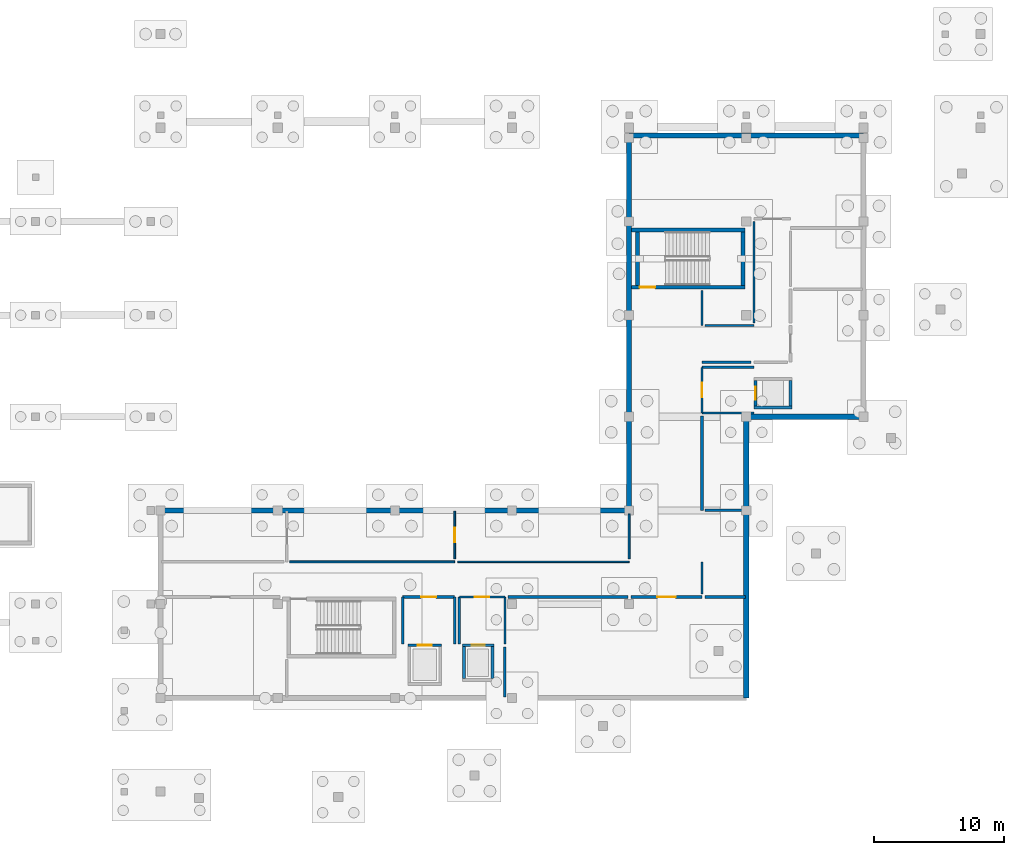
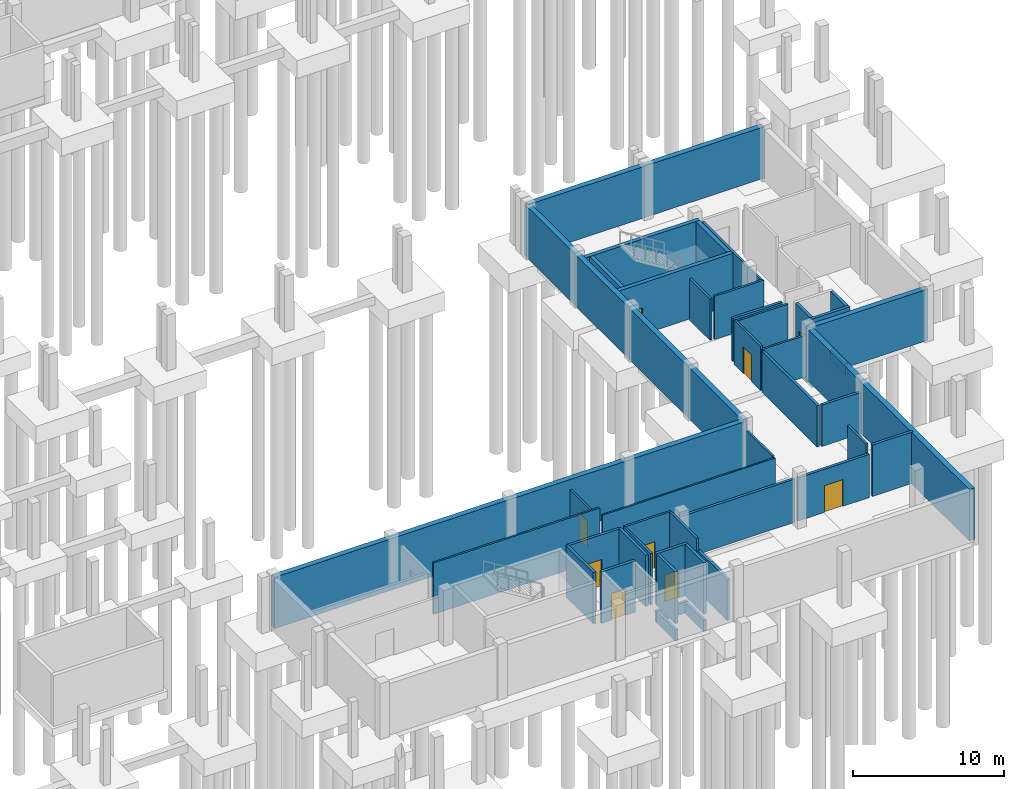
# One storey, part 24 of 36: 46 walls, 9 doors, 9 openings.
"""IFC4 building model written with IfcOpenShell, lengths in metres."""

from ifc_helpers import new_model, si_unit, direction, frame, frame_2d, origin, place, context, subcontext, project, spatial, rectangle, extrude, material, layer, layer_set, type_object, element, fill, save


model = new_model("IFC4")

# Units and contexts
model_context = context("Model", 3, precision=1e-05, world=origin(), true_north=direction((0.0, 1.0)))
body_context = subcontext(model_context, "Body", "Model", "MODEL_VIEW")
ifc_project = project(units=[si_unit("LENGTHUNIT", "METRE"), si_unit("AREAUNIT", "SQUARE_METRE"), si_unit("VOLUMEUNIT", "CUBIC_METRE"), si_unit("PLANEANGLEUNIT", "RADIAN"), si_unit("MASSUNIT", "GRAM", prefix="KILO")], contexts=[model_context])

# Site, building, storey
site_placement = place(None, origin())
site = spatial("IfcSite", under=ifc_project, at=site_placement, CompositionType="ELEMENT")
building_placement = place(site_placement, origin())
building = spatial("IfcBuilding", under=site, at=building_placement, Name="Chiffa Square Polytechnic", CompositionType="ELEMENT")
storey_placement = place(building_placement, frame((0.0, 0.0, -4.5)))
storey = spatial("IfcBuildingStorey", under=building, at=storey_placement, Name="B1", CompositionType="ELEMENT", Elevation=-4.5)

# Wall, opening, door
ifc_material_1 = material(Name="Concrete C40/50", Category="concrete")
ifc_layer_1 = layer(ifc_material_1, 0.300048828125, Name="Concrete C40/50")
ifc_layer_set_1 = layer_set([ifc_layer_1], Name="Concrete C40/50")
wall_type_1 = type_object("IfcWallType", Name="WL-CORE-300", PredefinedType="SHEAR", material=ifc_layer_set_1)
wall_1_placement = place(storey_placement, frame((148.39990234375, 45.949951171875, 0.0), z_axis=(0.0, 0.0, 1.0), x_axis=(1.0, 0.0, 0.0)))
wall_1 = element("IfcWall", 1, at=wall_1_placement, inside=storey, type_object=wall_type_1, Name="Core or enclosure wall WC-CORE-V1B-B1-SOUTH", PredefinedType="SHEAR", context=body_context, shape_type="SweptSolid", body=[
    extrude(rectangle(XDim=8.7001953125, YDim=0.300048828125, at=frame_2d((4.35009765625, 0.0))), origin(), (0.0, 0.0, 1.0), 4.14990234375),
])
opening_1_placement = place(wall_1_placement, frame((0.60009765625, 0.0, 0.0)))
opening_1 = element("IfcOpeningElement", 2, at=opening_1_placement, cuts=wall_1, Name="Opening DS-B1-009", PredefinedType="OPENING", context=body_context, shape_type="SweptSolid", body=[
    extrude(rectangle(XDim=1.199951171875, YDim=2.14990234375, at=frame_2d((0.60009765625, 1.074951171875))), frame((0.0, 0.16015625, 0.0), z_axis=(0.0, -1.0, 0.0), x_axis=(1.0, 0.0, 0.0)), (0.0, 0.0, 1.0), 0.320068359375),
])
ifc_material_2 = material(Name="Fire-rated painted steel leaf", Category="steel")
door_type_1 = type_object("IfcDoorType", Name="DR-STAIR-1200", OperationType="NOTDEFINED", PredefinedType="DOOR", material=ifc_material_2)
door_1_placement = place(opening_1_placement, origin())
door_1 = element("IfcDoor", 3, at=door_1_placement, inside=storey, type_object=door_type_1, Name="Enclosure door DS-B1-009", OperationType="SINGLE_SWING_LEFT", OverallHeight=2.14990234375, OverallWidth=1.199951171875, PredefinedType="DOOR", context=body_context, shape_type="SweptSolid", body=[
    extrude(rectangle(XDim=1.199951171875, YDim=2.14990234375, at=frame_2d((0.60009765625, 1.074951171875))), frame((0.0, 0.02490234375, 0.0), z_axis=(0.0, -1.0, 0.0), x_axis=(1.0, 0.0, 0.0)), (0.0, 0.0, 1.0), 0.050048828125),
])
fill(opening_1, door_1)

# Walls
wall_2_placement = place(storey_placement, frame((148.39990234375, 50.35009765625, 0.0), z_axis=(0.0, 0.0, 1.0), x_axis=(1.0, 0.0, 0.0)))
element("IfcWall", 4, at=wall_2_placement, inside=storey, type_object=wall_type_1, Name="Core or enclosure wall WC-CORE-V1B-B1-NORTH", PredefinedType="SHEAR", context=body_context, shape_type="SweptSolid", body=[
    extrude(rectangle(XDim=8.7001953125, YDim=0.300048828125, at=frame_2d((4.35009765625, 0.0))), origin(), (0.0, 0.0, 1.0), 4.14990234375),
])
for number, where, z_axis, x_axis, name in (
    (5, (148.85009765625, 46.10009765625, 0.0), (0.0, 0.0, 1.0), (0.0, 1.0, 0.0), "Core or enclosure wall WC-CORE-V1B-B1-WEST"),
    (6, (156.949951171875, 46.10009765625, 0.0), (0.0, 0.0, 1.0), (0.0, 1.0, 0.0), "Core or enclosure wall WC-CORE-V1B-B1-EAST"),
):
    element("IfcWall", number, at=place(storey_placement, frame(where, z_axis=z_axis, x_axis=x_axis)), inside=storey, type_object=wall_type_1, Name=name, PredefinedType="SHEAR", context=body_context, shape_type="SweptSolid", body=[
        extrude(rectangle(XDim=4.099853515625, YDim=0.300048828125, at=frame_2d((2.0498046875, 0.0))), origin(), (0.0, 0.0, 1.0), 4.14990234375),
    ])
ifc_material_3 = material(Name="Gypsum board on steel stud", Category="steel")
ifc_layer_2 = layer(ifc_material_3, 0.125, Name="Gypsum board on steel stud")
ifc_layer_set_2 = layer_set([ifc_layer_2], Name="Gypsum board on steel stud")
wall_type_2 = type_object("IfcWallType", Name="WL-PART-125", PredefinedType="PARTITIONING", material=ifc_layer_set_2)
wall_3_placement = place(storey_placement, frame((135.02001953125, 24.85009765625, 0.0), z_axis=(0.0, 0.0, 1.0), x_axis=(1.0, 0.0, 0.0)))
element("IfcWall", 7, at=wall_3_placement, inside=storey, type_object=wall_type_2, Name="Interior partition WP-V1-B1-0011", PredefinedType="PARTITIONING", context=body_context, shape_type="SweptSolid", body=[
    extrude(rectangle(XDim=13.179931640625, YDim=0.125, at=frame_2d((6.58984375, 0.0))), origin(), (0.0, 0.0, 1.0), 3.485107421875),
])

# Wall, opening, door
ifc_layer_3 = layer(ifc_material_3, 0.135009765625, Name="Gypsum board on steel stud")
ifc_layer_set_3 = layer_set([ifc_layer_3], Name="Gypsum board on steel stud")
wall_type_3 = type_object("IfcWallType", Name="WL-PART-135", PredefinedType="PARTITIONING", material=ifc_layer_set_3)
wall_4_placement = place(storey_placement, frame((134.800048828125, 25.070068359375, 0.0), z_axis=(0.0, 0.0, 1.0), x_axis=(0.0, 1.0, 0.0)))
wall_4 = element("IfcWall", 8, at=wall_4_placement, inside=storey, type_object=wall_type_3, Name="Interior partition WP-V1-B1-0010", PredefinedType="PARTITIONING", context=body_context, shape_type="SweptSolid", body=[
    extrude(rectangle(XDim=3.675048828125, YDim=0.135009765625, at=frame_2d((1.83740234375, 0.0))), origin(), (0.0, 0.0, 1.0), 3.3349609375),
])
opening_2_placement = place(wall_4_placement, frame((1.2880859375, 0.0, 0.0)))
opening_2 = element("IfcOpeningElement", 9, at=opening_2_placement, cuts=wall_4, Name="Opening DI-B1-052", PredefinedType="OPENING", context=body_context, shape_type="SweptSolid", body=[
    extrude(rectangle(XDim=1.10009765625, YDim=2.14990234375, at=frame_2d((0.550048828125, 1.074951171875))), frame((0.0, 0.07763671875, 0.0), z_axis=(0.0, -1.0, 0.0), x_axis=(1.0, 0.0, 0.0)), (0.0, 0.0, 1.0), 0.155029296875),
])
ifc_material_4 = material(Name="Solid core ash veneer door")
door_type_2 = type_object("IfcDoorType", Name="DR-INT-1100", OperationType="NOTDEFINED", PredefinedType="DOOR", material=ifc_material_4)
door_2_placement = place(opening_2_placement, origin())
door_2 = element("IfcDoor", 10, at=door_2_placement, inside=storey, type_object=door_type_2, Name="Interior room door DI-B1-052", OperationType="SINGLE_SWING_RIGHT", OverallHeight=2.14990234375, OverallWidth=1.10009765625, PredefinedType="DOOR", context=body_context, shape_type="SweptSolid", body=[
    extrude(rectangle(XDim=1.10009765625, YDim=2.14990234375, at=frame_2d((0.550048828125, 1.074951171875))), frame((0.0, 0.02490234375, 0.0), z_axis=(0.0, -1.0, 0.0), x_axis=(1.0, 0.0, 0.0)), (0.0, 0.0, 1.0), 0.050048828125),
])
fill(opening_2, door_2)

# Walls
ifc_layer_4 = layer(ifc_material_3, 0.14501953125, Name="Gypsum board on steel stud")
ifc_layer_set_4 = layer_set([ifc_layer_4], Name="Gypsum board on steel stud")
wall_type_4 = type_object("IfcWallType", Name="WL-PART-145", PredefinedType="PARTITIONING", material=ifc_layer_set_4)
wall_5_placement = place(storey_placement, frame((122.1201171875, 24.85009765625, 0.0), z_axis=(0.0, 0.0, 1.0), x_axis=(1.0, 0.0, 0.0)))
element("IfcWall", 11, at=wall_5_placement, inside=storey, type_object=wall_type_4, Name="Interior partition WP-V1-B1-0009", PredefinedType="PARTITIONING", context=body_context, shape_type="SweptSolid", body=[
    extrude(rectangle(XDim=12.679931640625, YDim=0.14501953125, at=frame_2d((6.33984375, 0.0))), origin(), (0.0, 0.0, 1.0), 4.14990234375),
])
wall_6_placement = place(storey_placement, frame((148.199951171875, 25.070068359375, 0.0), z_axis=(0.0, 0.0, 1.0), x_axis=(0.0, 1.0, 0.0)))
element("IfcWall", 12, at=wall_6_placement, inside=storey, type_object=wall_type_4, Name="Interior partition WP-V1-B1-0012", PredefinedType="PARTITIONING", context=body_context, shape_type="SweptSolid", body=[
    extrude(rectangle(XDim=3.469970703125, YDim=0.14501953125, at=frame_2d((1.73486328125, 0.0))), origin(), (0.0, 0.0, 1.0), 3.485107421875),
])

# Wall, opening, door
ifc_material_5 = material(Name="Autoclaved aerated concrete blockwork", Category="masonry")
ifc_layer_5 = layer(ifc_material_5, 0.199951171875, Name="Autoclaved aerated concrete blockwork")
ifc_layer_set_5 = layer_set([ifc_layer_5], Name="Autoclaved aerated concrete blockwork")
wall_type_5 = type_object("IfcWallType", Name="WL-PART-EI120-200", PredefinedType="PARTITIONING", material=ifc_layer_set_5)
wall_7_placement = place(storey_placement, frame((130.800048828125, 22.14990234375, 0.0), z_axis=(0.0, 0.0, 1.0), x_axis=(1.0, 0.0, 0.0)))
wall_7 = element("IfcWall", 13, at=wall_7_placement, inside=storey, type_object=wall_type_5, Name="Lift lobby rated enclosure WP-LOB-LF-V1-B1-NORTH", PredefinedType="PARTITIONING", context=body_context, shape_type="SweptSolid", body=[
    extrude(rectangle(XDim=4.0, YDim=0.199951171875, at=frame_2d((2.0, 0.0))), origin(), (0.0, 0.0, 1.0), 4.14990234375),
])
opening_3_placement = place(wall_7_placement, frame((1.425048828125, 0.0, 0.0)))
opening_3 = element("IfcOpeningElement", 14, at=opening_3_placement, cuts=wall_7, Name="Opening DI-B1-001", PredefinedType="OPENING", context=body_context, shape_type="SweptSolid", body=[
    extrude(rectangle(XDim=1.14990234375, YDim=2.14990234375, at=frame_2d((0.574951171875, 1.074951171875))), frame((0.0, 0.10986328125, 0.0), z_axis=(0.0, -1.0, 0.0), x_axis=(1.0, 0.0, 0.0)), (0.0, 0.0, 1.0), 0.219970703125),
])
ifc_material_6 = material(Name="Fire-rated steel door leaf", Category="steel")
door_type_3 = type_object("IfcDoorType", Name="DR-LOBBY-FD120", OperationType="NOTDEFINED", PredefinedType="DOOR", material=ifc_material_6)
door_3_placement = place(opening_3_placement, origin())
door_3 = element("IfcDoor", 15, at=door_3_placement, inside=storey, type_object=door_type_3, Name="Lift lobby fire door DI-B1-001", OperationType="SINGLE_SWING_RIGHT", OverallHeight=2.14990234375, OverallWidth=1.14990234375, PredefinedType="DOOR", context=body_context, shape_type="SweptSolid", body=[
    extrude(rectangle(XDim=1.14990234375, YDim=2.14990234375, at=frame_2d((0.574951171875, 1.074951171875))), frame((0.0, 0.02490234375, 0.0), z_axis=(0.0, -1.0, 0.0), x_axis=(1.0, 0.0, 0.0)), (0.0, 0.0, 1.0), 0.050048828125),
])
fill(opening_3, door_3)

# Walls
for number, where, z_axis, x_axis, name in (
    (16, (130.800048828125, 18.550048828125, 0.0), (0.0, 0.0, 1.0), (0.0, 1.0, 0.0), "Lift lobby rated enclosure WP-LOB-LF-V1-B1-WEST"),
    (17, (134.800048828125, 18.550048828125, 0.0), (0.0, 0.0, 1.0), (0.0, 1.0, 0.0), "Lift lobby rated enclosure WP-LOB-LF-V1-B1-EAST"),
):
    element("IfcWall", number, at=place(storey_placement, frame(where, z_axis=z_axis, x_axis=x_axis)), inside=storey, type_object=wall_type_5, Name=name, PredefinedType="PARTITIONING", context=body_context, shape_type="SweptSolid", body=[
        extrude(rectangle(XDim=3.599853515625, YDim=0.199951171875, at=frame_2d((1.7998046875, 0.0))), origin(), (0.0, 0.0, 1.0), 4.14990234375),
    ])
wall_8_placement = place(storey_placement, frame((153.800048828125, 40.199951171875, 0.0), z_axis=(0.0, 0.0, 1.0), x_axis=(1.0, 0.0, 0.0)))
element("IfcWall", 18, at=wall_8_placement, inside=storey, type_object=wall_type_5, Name="Interior partition WP-V1-B1-0015", PredefinedType="PARTITIONING", context=body_context, shape_type="SweptSolid", body=[
    extrude(rectangle(XDim=3.780029296875, YDim=0.199951171875, at=frame_2d((1.89013671875, 0.0))), origin(), (0.0, 0.0, 1.0), 3.485107421875),
])
wall_9_placement = place(storey_placement, frame((153.800048828125, 28.800048828125, 0.0), z_axis=(0.0, 0.0, 1.0), x_axis=(0.0, 1.0, 0.0)))
element("IfcWall", 19, at=wall_9_placement, inside=storey, type_object=wall_type_5, Name="Interior partition WP-V1-B1-0016", PredefinedType="PARTITIONING", context=body_context, shape_type="SweptSolid", body=[
    extrude(rectangle(XDim=7.260009765625, YDim=0.199951171875, at=frame_2d((3.6298828125, 0.0))), origin(), (0.0, 0.0, 1.0), 3.3349609375),
])
wall_10_placement = place(storey_placement, frame((154.02001953125, 28.800048828125, 0.0), z_axis=(0.0, 0.0, 1.0), x_axis=(1.0, 0.0, 0.0)))
element("IfcWall", 20, at=wall_10_placement, inside=storey, type_object=wall_type_5, Name="Interior partition WP-V1-B1-0019", PredefinedType="PARTITIONING", context=body_context, shape_type="SweptSolid", body=[
    extrude(rectangle(XDim=3.125, YDim=0.199951171875, at=frame_2d((1.5625, 0.0))), origin(), (0.0, 0.0, 1.0), 3.3349609375),
])

# Wall, opening, door
wall_11_placement = place(storey_placement, frame((148.35009765625, 22.14990234375, 0.0), z_axis=(0.0, 0.0, 1.0), x_axis=(1.0, 0.0, 0.0)))
wall_11 = element("IfcWall", 21, at=wall_11_placement, inside=storey, type_object=wall_type_5, Name="Interior partition WP-V1-B1-0025", PredefinedType="PARTITIONING", context=body_context, shape_type="SweptSolid", body=[
    extrude(rectangle(XDim=5.449951171875, YDim=0.199951171875, at=frame_2d((2.72509765625, 0.0))), origin(), (0.0, 0.0, 1.0), 3.485107421875),
])
opening_4_placement = place(wall_11_placement, frame((2.02490234375, 0.0, 0.0)))
opening_4 = element("IfcOpeningElement", 22, at=opening_4_placement, cuts=wall_11, Name="Opening DI-B1-056", PredefinedType="OPENING", context=body_context, shape_type="SweptSolid", body=[
    extrude(rectangle(XDim=1.39990234375, YDim=2.14990234375, at=frame_2d((0.699951171875, 1.074951171875))), frame((0.0, 0.10986328125, 0.0), z_axis=(0.0, -1.0, 0.0), x_axis=(1.0, 0.0, 0.0)), (0.0, 0.0, 1.0), 0.219970703125),
])
ifc_material_7 = material(Name="Louvred painted steel plant door", Category="steel")
door_type_4 = type_object("IfcDoorType", Name="DR-PLANT-1400", OperationType="DOUBLE_DOOR_SINGLE_SWING", PredefinedType="DOOR", material=ifc_material_7)
door_4_placement = place(opening_4_placement, origin())
door_4 = element("IfcDoor", 23, at=door_4_placement, inside=storey, type_object=door_type_4, Name="Interior room door DI-B1-056", OperationType="DOUBLE_DOOR_SINGLE_SWING", OverallHeight=2.14990234375, OverallWidth=1.39990234375, PredefinedType="DOOR", context=body_context, shape_type="SweptSolid", body=[
    extrude(rectangle(XDim=1.39990234375, YDim=2.14990234375, at=frame_2d((0.699951171875, 1.074951171875))), frame((0.0, 0.02490234375, 0.0), z_axis=(0.0, -1.0, 0.0), x_axis=(1.0, 0.0, 0.0)), (0.0, 0.0, 1.0), 0.050048828125),
])
fill(opening_4, door_4)

# Walls
wall_12_placement = place(storey_placement, frame((138.889892578125, 22.14990234375, 0.0), z_axis=(0.0, 0.0, 1.0), x_axis=(1.0, 0.0, 0.0)))
element("IfcWall", 24, at=wall_12_placement, inside=storey, type_object=wall_type_5, Name="Interior partition WP-V1-B1-0026", PredefinedType="PARTITIONING", context=body_context, shape_type="SweptSolid", body=[
    extrude(rectangle(XDim=9.239990234375, YDim=0.199951171875, at=frame_2d((4.6201171875, 0.0))), origin(), (0.0, 0.0, 1.0), 3.485107421875),
])
wall_13_placement = place(storey_placement, frame((154.02001953125, 22.14990234375, 0.0), z_axis=(0.0, 0.0, 1.0), x_axis=(1.0, 0.0, 0.0)))
element("IfcWall", 25, at=wall_13_placement, inside=storey, type_object=wall_type_5, Name="Interior partition WP-V1-B1-0027", PredefinedType="PARTITIONING", context=body_context, shape_type="SweptSolid", body=[
    extrude(rectangle(XDim=3.125, YDim=0.199951171875, at=frame_2d((1.5625, 0.0))), origin(), (0.0, 0.0, 1.0), 4.14990234375),
])
wall_14_placement = place(storey_placement, frame((138.64990234375, 14.455078125, 0.0), z_axis=(0.0, 0.0, 1.0), x_axis=(0.0, 1.0, 0.0)))
element("IfcWall", 26, at=wall_14_placement, inside=storey, type_object=wall_type_5, Name="Interior partition WP-V1-B1-0028", PredefinedType="PARTITIONING", context=body_context, shape_type="SweptSolid", body=[
    extrude(rectangle(XDim=3.85498046875, YDim=0.199951171875, at=frame_2d((1.927490234375, 0.0))), origin(), (0.0, 0.0, 1.0), 3.3349609375),
])

# Wall, opening, door
ifc_material_8 = material(Name="Gypsum board on acoustic steel stud", Category="steel")
ifc_layer_6 = layer(ifc_material_8, 0.159912109375, Name="Gypsum board on acoustic steel stud")
ifc_layer_set_6 = layer_set([ifc_layer_6], Name="Gypsum board on acoustic steel stud")
wall_type_6 = type_object("IfcWallType", Name="WL-PART-EI60-160", PredefinedType="PARTITIONING", material=ifc_layer_set_6)
wall_15_placement = place(storey_placement, frame((135.14990234375, 22.14990234375, 0.0), z_axis=(0.0, 0.0, 1.0), x_axis=(1.0, 0.0, 0.0)))
wall_15 = element("IfcWall", 27, at=wall_15_placement, inside=storey, type_object=wall_type_6, Name="Lift lobby rated enclosure WP-LOB-LP-V1A-B1-NORTH", PredefinedType="PARTITIONING", context=body_context, shape_type="SweptSolid", body=[
    extrude(rectangle(XDim=3.5, YDim=0.159912109375, at=frame_2d((1.75, 0.0))), origin(), (0.0, 0.0, 1.0), 4.14990234375),
])
opening_5_placement = place(wall_15_placement, frame((1.199951171875, 0.0, 0.0)))
opening_5 = element("IfcOpeningElement", 28, at=opening_5_placement, cuts=wall_15, Name="Opening DI-B1-009", PredefinedType="OPENING", context=body_context, shape_type="SweptSolid", body=[
    extrude(rectangle(XDim=1.10009765625, YDim=2.14990234375, at=frame_2d((0.550048828125, 1.074951171875))), frame((0.0, 0.08984375, 0.0), z_axis=(0.0, -1.0, 0.0), x_axis=(1.0, 0.0, 0.0)), (0.0, 0.0, 1.0), 0.179931640625),
])
door_5_placement = place(opening_5_placement, origin())
door_5 = element("IfcDoor", 29, at=door_5_placement, inside=storey, type_object=door_type_2, Name="Lift lobby fire door DI-B1-009", OperationType="SINGLE_SWING_RIGHT", OverallHeight=2.14990234375, OverallWidth=1.10009765625, PredefinedType="DOOR", context=body_context, shape_type="SweptSolid", body=[
    extrude(rectangle(XDim=1.10009765625, YDim=2.14990234375, at=frame_2d((0.550048828125, 1.074951171875))), frame((0.0, 0.02490234375, 0.0), z_axis=(0.0, -1.0, 0.0), x_axis=(1.0, 0.0, 0.0)), (0.0, 0.0, 1.0), 0.050048828125),
])
fill(opening_5, door_5)

# Walls
for number, where, z_axis, x_axis, name in (
    (30, (135.14990234375, 18.550048828125, 0.0), (0.0, 0.0, 1.0), (0.0, 1.0, 0.0), "Lift lobby rated enclosure WP-LOB-LP-V1A-B1-WEST"),
    (31, (138.64990234375, 18.550048828125, 0.0), (0.0, 0.0, 1.0), (0.0, 1.0, 0.0), "Lift lobby rated enclosure WP-LOB-LP-V1A-B1-EAST"),
):
    element("IfcWall", number, at=place(storey_placement, frame(where, z_axis=z_axis, x_axis=x_axis)), inside=storey, type_object=wall_type_6, Name=name, PredefinedType="PARTITIONING", context=body_context, shape_type="SweptSolid", body=[
        extrude(rectangle(XDim=3.599853515625, YDim=0.159912109375, at=frame_2d((1.7998046875, 0.0))), origin(), (0.0, 0.0, 1.0), 4.14990234375),
    ])
wall_16_placement = place(storey_placement, frame((153.800048828125, 36.300048828125, 0.0), z_axis=(0.0, 0.0, 1.0), x_axis=(1.0, 0.0, 0.0)))
element("IfcWall", 32, at=wall_16_placement, inside=storey, type_object=wall_type_6, Name="Lift lobby rated enclosure WP-LOB-LP-V1B-B1-SOUTH", PredefinedType="PARTITIONING", context=body_context, shape_type="SweptSolid", body=[
    extrude(rectangle(XDim=4.0, YDim=0.159912109375, at=frame_2d((2.0, 0.0))), origin(), (0.0, 0.0, 1.0), 3.3349609375),
])
wall_17_placement = place(storey_placement, frame((153.800048828125, 39.800048828125, 0.0), z_axis=(0.0, 0.0, 1.0), x_axis=(1.0, 0.0, 0.0)))
element("IfcWall", 33, at=wall_17_placement, inside=storey, type_object=wall_type_6, Name="Lift lobby rated enclosure WP-LOB-LP-V1B-B1-NORTH", PredefinedType="PARTITIONING", context=body_context, shape_type="SweptSolid", body=[
    extrude(rectangle(XDim=4.0, YDim=0.159912109375, at=frame_2d((2.0, 0.0))), origin(), (0.0, 0.0, 1.0), 3.485107421875),
])

# Wall, opening, door
wall_18_placement = place(storey_placement, frame((153.800048828125, 36.300048828125, 0.0), z_axis=(0.0, 0.0, 1.0), x_axis=(0.0, 1.0, 0.0)))
wall_18 = element("IfcWall", 34, at=wall_18_placement, inside=storey, type_object=wall_type_6, Name="Lift lobby rated enclosure WP-LOB-LP-V1B-B1-WEST", PredefinedType="PARTITIONING", context=body_context, shape_type="SweptSolid", body=[
    extrude(rectangle(XDim=3.5, YDim=0.159912109375, at=frame_2d((1.75, 0.0))), origin(), (0.0, 0.0, 1.0), 3.5849609375),
])
opening_6_placement = place(wall_18_placement, frame((1.199951171875, 0.0, 0.0)))
opening_6 = element("IfcOpeningElement", 35, at=opening_6_placement, cuts=wall_18, Name="Opening DI-B1-017", PredefinedType="OPENING", context=body_context, shape_type="SweptSolid", body=[
    extrude(rectangle(XDim=1.10009765625, YDim=2.14990234375, at=frame_2d((0.550048828125, 1.074951171875))), frame((0.0, 0.08984375, 0.0), z_axis=(0.0, -1.0, 0.0), x_axis=(1.0, 0.0, 0.0)), (0.0, 0.0, 1.0), 0.179931640625),
])
door_6_placement = place(opening_6_placement, origin())
door_6 = element("IfcDoor", 36, at=door_6_placement, inside=storey, type_object=door_type_2, Name="Lift lobby fire door DI-B1-017", OperationType="SINGLE_SWING_RIGHT", OverallHeight=2.14990234375, OverallWidth=1.10009765625, PredefinedType="DOOR", context=body_context, shape_type="SweptSolid", body=[
    extrude(rectangle(XDim=1.10009765625, YDim=2.14990234375, at=frame_2d((0.550048828125, 1.074951171875))), frame((0.0, 0.02490234375, 0.0), z_axis=(0.0, -1.0, 0.0), x_axis=(1.0, 0.0, 0.0)), (0.0, 0.0, 1.0), 0.050048828125),
])
fill(opening_6, door_6)

# Walls
wall_19_placement = place(storey_placement, frame((153.800048828125, 43.0, 0.0), z_axis=(0.0, 0.0, 1.0), x_axis=(0.0, 1.0, 0.0)))
element("IfcWall", 37, at=wall_19_placement, inside=storey, type_object=wall_type_6, Name="Interior partition WP-V1-B1-0058", PredefinedType="PARTITIONING", context=body_context, shape_type="SweptSolid", body=[
    extrude(rectangle(XDim=2.7099609375, YDim=0.159912109375, at=frame_2d((1.35498046875, 0.0))), origin(), (0.0, 0.0, 1.0), 3.3349609375),
])
wall_20_placement = place(storey_placement, frame((154.02001953125, 43.0, 0.0), z_axis=(0.0, 0.0, 1.0), x_axis=(1.0, 0.0, 0.0)))
element("IfcWall", 38, at=wall_20_placement, inside=storey, type_object=wall_type_6, Name="Interior partition WP-V1-B1-0059", PredefinedType="PARTITIONING", context=body_context, shape_type="SweptSolid", body=[
    extrude(rectangle(XDim=3.780029296875, YDim=0.159912109375, at=frame_2d((1.89013671875, 0.0))), origin(), (0.0, 0.0, 1.0), 3.485107421875),
])
wall_21_placement = place(storey_placement, frame((157.800048828125, 43.219970703125, 0.0), z_axis=(0.0, 0.0, 1.0), x_axis=(0.0, 1.0, 0.0)))
element("IfcWall", 39, at=wall_21_placement, inside=storey, type_object=wall_type_6, Name="Interior partition WP-V1-B1-0060", PredefinedType="PARTITIONING", context=body_context, shape_type="SweptSolid", body=[
    extrude(rectangle(XDim=7.760009765625, YDim=0.159912109375, at=frame_2d((3.8798828125, 0.0))), origin(), (0.0, 0.0, 1.0), 3.3349609375),
])
wall_22_placement = place(storey_placement, frame((153.800048828125, 22.3701171875, 0.0), z_axis=(0.0, 0.0, 1.0), x_axis=(0.0, 1.0, 0.0)))
element("IfcWall", 40, at=wall_22_placement, inside=storey, type_object=wall_type_6, Name="Interior partition WP-V1-B1-0062", PredefinedType="PARTITIONING", context=body_context, shape_type="SweptSolid", body=[
    extrude(rectangle(XDim=2.47998046875, YDim=0.159912109375, at=frame_2d((1.239990234375, 0.0))), origin(), (0.0, 0.0, 1.0), 4.14990234375),
])
ifc_material_9 = material(Name="Concrete C35/45", Category="concrete")
ifc_layer_7 = layer(ifc_material_9, 0.39990234375, Name="Concrete C35/45")
ifc_layer_set_7 = layer_set([ifc_layer_7], Name="Concrete C35/45")
wall_type_7 = type_object("IfcWallType", Name="WL-RET-400", PredefinedType="USERDEFINED", material=ifc_layer_set_7)
wall_23_placement = place(storey_placement, frame((157.199951171875, 14.39990234375, 0.0), z_axis=(0.0, 0.0, 1.0), x_axis=(0.0, 1.0, 0.0)))
element("IfcWall", 41, at=wall_23_placement, inside=storey, type_object=wall_type_7, Name="Basement retaining wall WE-V1-B1-0002", ObjectType="RETAININGWALL", PredefinedType="USERDEFINED", context=body_context, shape_type="SweptSolid", body=[
    extrude(rectangle(XDim=21.60009765625, YDim=0.39990234375, at=frame_2d((10.800048828125, 0.0))), origin(), (0.0, 0.0, 1.0), 4.14990234375),
])
wall_24_placement = place(storey_placement, frame((157.199951171875, 36.0, 0.0), z_axis=(0.0, 0.0, 1.0), x_axis=(1.0, 0.0, 0.0)))
element("IfcWall", 42, at=wall_24_placement, inside=storey, type_object=wall_type_7, Name="Basement retaining wall WE-V1-B1-0003", ObjectType="RETAININGWALL", PredefinedType="USERDEFINED", context=body_context, shape_type="SweptSolid", body=[
    extrude(rectangle(XDim=9.0, YDim=0.39990234375, at=frame_2d((4.5, 0.0))), origin(), (0.0, 0.0, 1.0), 4.14990234375),
])
wall_25_placement = place(storey_placement, frame((166.199951171875, 57.60009765625, 0.0), z_axis=(0.0, 0.0, 1.0), x_axis=(-1.0, 0.0, 0.0)))
element("IfcWall", 43, at=wall_25_placement, inside=storey, type_object=wall_type_7, Name="Basement retaining wall WE-V1-B1-0005", ObjectType="RETAININGWALL", PredefinedType="USERDEFINED", context=body_context, shape_type="SweptSolid", body=[
    extrude(rectangle(XDim=18.0, YDim=0.39990234375, at=frame_2d((9.0, 0.0))), origin(), (0.0, 0.0, 1.0), 4.14990234375),
])
wall_26_placement = place(storey_placement, frame((148.199951171875, 57.60009765625, 0.0), z_axis=(0.0, 0.0, 1.0), x_axis=(0.0, -1.0, 0.0)))
element("IfcWall", 44, at=wall_26_placement, inside=storey, type_object=wall_type_7, Name="Basement retaining wall WE-V1-B1-0006", ObjectType="RETAININGWALL", PredefinedType="USERDEFINED", context=body_context, shape_type="SweptSolid", body=[
    extrude(rectangle(XDim=28.800048828125, YDim=0.39990234375, at=frame_2d((14.39990234375, 0.0))), origin(), (0.0, 0.0, 1.0), 4.14990234375),
])
wall_27_placement = place(storey_placement, frame((148.199951171875, 28.800048828125, 0.0), z_axis=(0.0, 0.0, 1.0), x_axis=(-1.0, 0.0, 0.0)))
element("IfcWall", 45, at=wall_27_placement, inside=storey, type_object=wall_type_7, Name="Basement retaining wall WE-V1-B1-0007", ObjectType="RETAININGWALL", PredefinedType="USERDEFINED", context=body_context, shape_type="SweptSolid", body=[
    extrude(rectangle(XDim=36.0, YDim=0.39990234375, at=frame_2d((18.0, 0.0))), origin(), (0.0, 0.0, 1.0), 4.14990234375),
])

# Wall, opening, door
ifc_layer_8 = layer(ifc_material_9, 0.219970703125, Name="Concrete C35/45")
ifc_layer_set_8 = layer_set([ifc_layer_8], Name="Concrete C35/45")
wall_type_8 = type_object("IfcWallType", Name="WL-SHAFT-220", PredefinedType="SHEAR", material=ifc_layer_set_8)
wall_28_placement = place(storey_placement, frame((131.199951171875, 18.43994140625, 0.0), z_axis=(0.0, 0.0, 1.0), x_axis=(1.0, 0.0, 0.0)))
wall_28 = element("IfcWall", 46, at=wall_28_placement, inside=storey, type_object=wall_type_8, Name="Core or enclosure wall WS-LF-V1-B1-NORTH", PredefinedType="SHEAR", context=body_context, shape_type="SweptSolid", body=[
    extrude(rectangle(XDim=2.60009765625, YDim=0.219970703125, at=frame_2d((1.300048828125, 0.0))), origin(), (0.0, 0.0, 1.0), 4.14990234375),
])
opening_7_placement = place(wall_28_placement, frame((0.75, 0.0, 0.0)))
opening_7 = element("IfcOpeningElement", 47, at=opening_7_placement, cuts=wall_28, Name="Opening LD-LF-V1-B1", PredefinedType="OPENING", context=body_context, shape_type="SweptSolid", body=[
    extrude(rectangle(XDim=1.10009765625, YDim=2.14990234375, at=frame_2d((0.550048828125, 1.074951171875))), frame((0.0, 0.1201171875, 0.0), z_axis=(0.0, -1.0, 0.0), x_axis=(1.0, 0.0, 0.0)), (0.0, 0.0, 1.0), 0.239990234375),
])
ifc_material_10 = material(Name="Brushed stainless steel sliding landing door", Category="steel")
door_type_5 = type_object("IfcDoorType", Name="DR-LIFT-1100", OperationType="SLIDING_TO_LEFT", PredefinedType="DOOR", material=ifc_material_10)
door_7_placement = place(opening_7_placement, origin())
door_7 = element("IfcDoor", 48, at=door_7_placement, inside=storey, type_object=door_type_5, Name="Enclosure door LD-LF-V1-B1", OperationType="SLIDING_TO_LEFT", OverallHeight=2.14990234375, OverallWidth=1.10009765625, PredefinedType="DOOR", context=body_context, shape_type="SweptSolid", body=[
    extrude(rectangle(XDim=1.10009765625, YDim=2.14990234375, at=frame_2d((0.550048828125, 1.074951171875))), frame((0.0, 0.02490234375, 0.0), z_axis=(0.0, -1.0, 0.0), x_axis=(1.0, 0.0, 0.0)), (0.0, 0.0, 1.0), 0.050048828125),
])
fill(opening_7, door_7)

# Walls
wall_29_placement = place(storey_placement, frame((135.39990234375, 18.43994140625, -1.39990234375), z_axis=(0.0, 0.0, 1.0), x_axis=(1.0, 0.0, 0.0)))
element("IfcWall", 49, at=wall_29_placement, inside=storey, type_object=wall_type_8, Name="Core or enclosure wall WS-PIT-LP-V1A-B1-NORTH", PredefinedType="SHEAR", context=body_context, shape_type="SweptSolid", body=[
    extrude(rectangle(XDim=2.400146484375, YDim=0.219970703125, at=frame_2d((1.2001953125, 0.0))), origin(), (0.0, 0.0, 1.0), 0.89990234375),
])
for number, where, z_axis, x_axis, name in (
    (50, (135.510009765625, 15.8701171875, -1.39990234375), (0.0, 0.0, 1.0), (0.0, 1.0, 0.0), "Core or enclosure wall WS-PIT-LP-V1A-B1-WEST"),
    (51, (137.68994140625, 15.8701171875, -1.39990234375), (0.0, 0.0, 1.0), (0.0, 1.0, 0.0), "Core or enclosure wall WS-PIT-LP-V1A-B1-EAST"),
):
    element("IfcWall", number, at=place(storey_placement, frame(where, z_axis=z_axis, x_axis=x_axis)), inside=storey, type_object=wall_type_8, Name=name, PredefinedType="SHEAR", context=body_context, shape_type="SweptSolid", body=[
        extrude(rectangle(XDim=2.4599609375, YDim=0.219970703125, at=frame_2d((1.22998046875, 0.0))), origin(), (0.0, 0.0, 1.0), 0.89990234375),
    ])

# Wall, opening, door
wall_30_placement = place(storey_placement, frame((135.39990234375, 18.43994140625, 0.0), z_axis=(0.0, 0.0, 1.0), x_axis=(1.0, 0.0, 0.0)))
wall_30 = element("IfcWall", 52, at=wall_30_placement, inside=storey, type_object=wall_type_8, Name="Core or enclosure wall WS-LP-V1A-B1-NORTH", PredefinedType="SHEAR", context=body_context, shape_type="SweptSolid", body=[
    extrude(rectangle(XDim=2.400146484375, YDim=0.219970703125, at=frame_2d((1.2001953125, 0.0))), origin(), (0.0, 0.0, 1.0), 4.14990234375),
])
opening_8_placement = place(wall_30_placement, frame((0.699951171875, 0.0, 0.0)))
opening_8 = element("IfcOpeningElement", 53, at=opening_8_placement, cuts=wall_30, Name="Opening LD-LP-V1A-B1", PredefinedType="OPENING", context=body_context, shape_type="SweptSolid", body=[
    extrude(rectangle(XDim=1.0, YDim=2.14990234375, at=frame_2d((0.5, 1.074951171875))), frame((0.0, 0.1201171875, 0.0), z_axis=(0.0, -1.0, 0.0), x_axis=(1.0, 0.0, 0.0)), (0.0, 0.0, 1.0), 0.239990234375),
])
door_type_6 = type_object("IfcDoorType", Name="DR-LIFT-1000", OperationType="SLIDING_TO_RIGHT", PredefinedType="DOOR", material=ifc_material_10)
door_8_placement = place(opening_8_placement, origin())
door_8 = element("IfcDoor", 54, at=door_8_placement, inside=storey, type_object=door_type_6, Name="Enclosure door LD-LP-V1A-B1", OperationType="SLIDING_TO_RIGHT", OverallHeight=2.14990234375, OverallWidth=1.0, PredefinedType="DOOR", context=body_context, shape_type="SweptSolid", body=[
    extrude(rectangle(XDim=1.0, YDim=2.14990234375, at=frame_2d((0.5, 1.074951171875))), frame((0.0, 0.02490234375, 0.0), z_axis=(0.0, -1.0, 0.0), x_axis=(1.0, 0.0, 0.0)), (0.0, 0.0, 1.0), 0.050048828125),
])
fill(opening_8, door_8)

# Walls
for number, where, z_axis, x_axis, name in (
    (55, (135.510009765625, 15.8701171875, 0.0), (0.0, 0.0, 1.0), (0.0, 1.0, 0.0), "Core or enclosure wall WS-LP-V1A-B1-WEST"),
    (56, (137.68994140625, 15.8701171875, 0.0), (0.0, 0.0, 1.0), (0.0, 1.0, 0.0), "Core or enclosure wall WS-LP-V1A-B1-EAST"),
):
    element("IfcWall", number, at=place(storey_placement, frame(where, z_axis=z_axis, x_axis=x_axis)), inside=storey, type_object=wall_type_8, Name=name, PredefinedType="SHEAR", context=body_context, shape_type="SweptSolid", body=[
        extrude(rectangle(XDim=2.4599609375, YDim=0.219970703125, at=frame_2d((1.22998046875, 0.0))), origin(), (0.0, 0.0, 1.0), 4.14990234375),
    ])
wall_31_placement = place(storey_placement, frame((157.800048828125, 36.7099609375, -1.39990234375), z_axis=(0.0, 0.0, 1.0), x_axis=(1.0, 0.0, 0.0)))
element("IfcWall", 57, at=wall_31_placement, inside=storey, type_object=wall_type_8, Name="Core or enclosure wall WS-PIT-LP-V1B-B1-SOUTH", PredefinedType="SHEAR", context=body_context, shape_type="SweptSolid", body=[
    extrude(rectangle(XDim=2.89990234375, YDim=0.219970703125, at=frame_2d((1.449951171875, 0.0))), origin(), (0.0, 0.0, 1.0), 0.89990234375),
])
for number, where, z_axis, x_axis, name in (
    (58, (157.909912109375, 36.820068359375, -1.39990234375), (0.0, 0.0, 1.0), (0.0, 1.0, 0.0), "Core or enclosure wall WS-PIT-LP-V1B-B1-WEST"),
    (59, (160.590087890625, 36.820068359375, -1.39990234375), (0.0, 0.0, 1.0), (0.0, 1.0, 0.0), "Core or enclosure wall WS-PIT-LP-V1B-B1-EAST"),
):
    element("IfcWall", number, at=place(storey_placement, frame(where, z_axis=z_axis, x_axis=x_axis)), inside=storey, type_object=wall_type_8, Name=name, PredefinedType="SHEAR", context=body_context, shape_type="SweptSolid", body=[
        extrude(rectangle(XDim=1.9599609375, YDim=0.219970703125, at=frame_2d((0.97998046875, 0.0))), origin(), (0.0, 0.0, 1.0), 0.89990234375),
    ])
wall_32_placement = place(storey_placement, frame((157.800048828125, 36.7099609375, 0.0), z_axis=(0.0, 0.0, 1.0), x_axis=(1.0, 0.0, 0.0)))
element("IfcWall", 60, at=wall_32_placement, inside=storey, type_object=wall_type_8, Name="Core or enclosure wall WS-LP-V1B-B1-SOUTH", PredefinedType="SHEAR", context=body_context, shape_type="SweptSolid", body=[
    extrude(rectangle(XDim=2.89990234375, YDim=0.219970703125, at=frame_2d((1.449951171875, 0.0))), origin(), (0.0, 0.0, 1.0), 4.14990234375),
])

# Wall, opening, door
wall_33_placement = place(storey_placement, frame((157.909912109375, 36.820068359375, 0.0), z_axis=(0.0, 0.0, 1.0), x_axis=(0.0, 1.0, 0.0)))
wall_33 = element("IfcWall", 61, at=wall_33_placement, inside=storey, type_object=wall_type_8, Name="Core or enclosure wall WS-LP-V1B-B1-WEST", PredefinedType="SHEAR", context=body_context, shape_type="SweptSolid", body=[
    extrude(rectangle(XDim=1.9599609375, YDim=0.219970703125, at=frame_2d((0.97998046875, 0.0))), origin(), (0.0, 0.0, 1.0), 4.14990234375),
])
opening_9_placement = place(wall_33_placement, frame((0.47998046875, 0.0, 0.0)))
opening_9 = element("IfcOpeningElement", 62, at=opening_9_placement, cuts=wall_33, Name="Opening LD-LP-V1B-B1", PredefinedType="OPENING", context=body_context, shape_type="SweptSolid", body=[
    extrude(rectangle(XDim=1.0, YDim=2.14990234375, at=frame_2d((0.5, 1.074951171875))), frame((0.0, 0.1201171875, 0.0), z_axis=(0.0, -1.0, 0.0), x_axis=(1.0, 0.0, 0.0)), (0.0, 0.0, 1.0), 0.239990234375),
])
door_9_placement = place(opening_9_placement, origin())
door_9 = element("IfcDoor", 63, at=door_9_placement, inside=storey, type_object=door_type_6, Name="Enclosure door LD-LP-V1B-B1", OperationType="SLIDING_TO_LEFT", OverallHeight=2.14990234375, OverallWidth=1.0, PredefinedType="DOOR", context=body_context, shape_type="SweptSolid", body=[
    extrude(rectangle(XDim=1.0, YDim=2.14990234375, at=frame_2d((0.5, 1.074951171875))), frame((0.0, 0.02490234375, 0.0), z_axis=(0.0, -1.0, 0.0), x_axis=(1.0, 0.0, 0.0)), (0.0, 0.0, 1.0), 0.050048828125),
])
fill(opening_9, door_9)

# Wall
wall_34_placement = place(storey_placement, frame((160.590087890625, 36.820068359375, 0.0), z_axis=(0.0, 0.0, 1.0), x_axis=(0.0, 1.0, 0.0)))
element("IfcWall", 64, at=wall_34_placement, inside=storey, type_object=wall_type_8, Name="Core or enclosure wall WS-LP-V1B-B1-EAST", PredefinedType="SHEAR", context=body_context, shape_type="SweptSolid", body=[
    extrude(rectangle(XDim=1.9599609375, YDim=0.219970703125, at=frame_2d((0.97998046875, 0.0))), origin(), (0.0, 0.0, 1.0), 4.14990234375),
])

save(model, "model.ifc")
